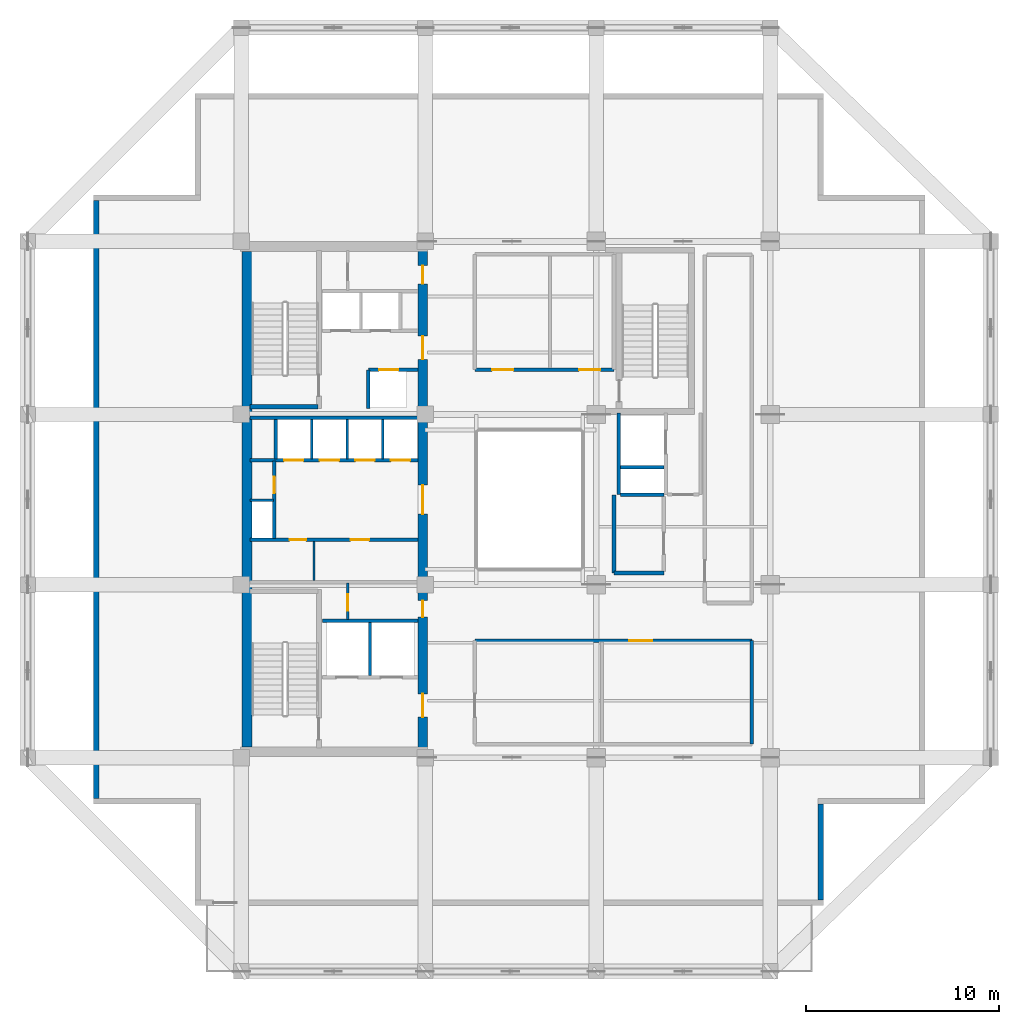
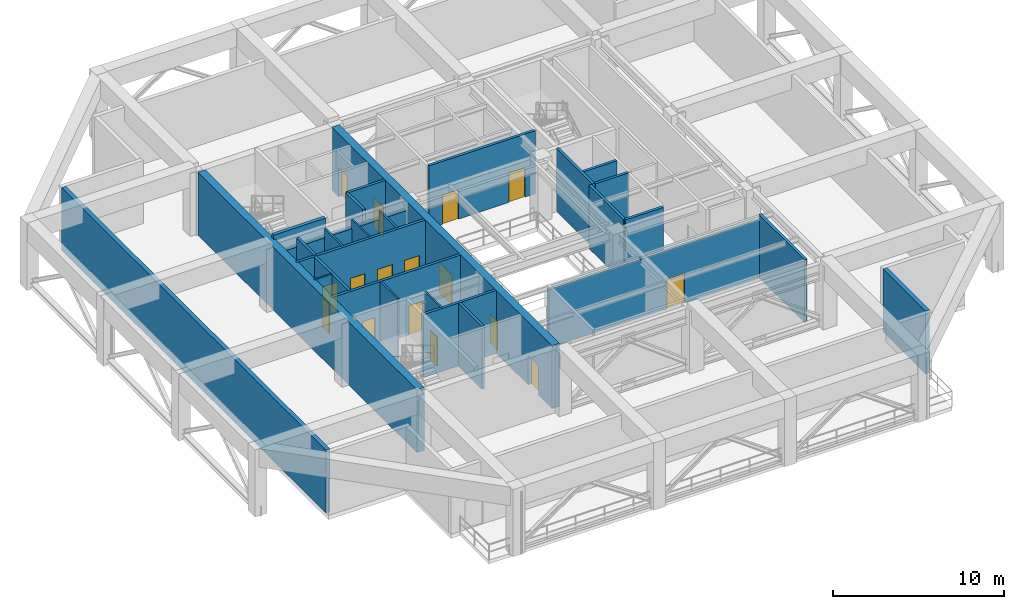
# One storey, part 4 of 10: 28 walls, 17 doors, 17 openings.
"""IFC4 building model written with IfcOpenShell, lengths in metres."""

from ifc_helpers import new_model, si_unit, direction, frame, frame_2d, origin, place, context, subcontext, project, spatial, rectangle, extrude, material, layer, layer_set, type_object, element, fill, save


model = new_model("IFC4")

# Units and contexts
model_context = context("Model", 3, precision=1e-05, world=origin(), true_north=direction((0.0, 1.0)))
body_context = subcontext(model_context, "Body", "Model", "MODEL_VIEW")
ifc_project = project(units=[si_unit("LENGTHUNIT", "METRE"), si_unit("AREAUNIT", "SQUARE_METRE"), si_unit("VOLUMEUNIT", "CUBIC_METRE"), si_unit("PLANEANGLEUNIT", "RADIAN"), si_unit("MASSUNIT", "GRAM", prefix="KILO")], contexts=[model_context])

# Site, building, storey
site_placement = place(None, origin())
site = spatial("IfcSite", under=ifc_project, at=site_placement, CompositionType="ELEMENT")
building_placement = place(site_placement, origin())
building = spatial("IfcBuilding", under=site, at=building_placement, Name="Kundavana Baori Tower", CompositionType="ELEMENT")
storey_placement = place(building_placement, frame((0.0, 0.0, 204.10009765625)))
storey = spatial("IfcBuildingStorey", under=building, at=storey_placement, Name="L50", CompositionType="ELEMENT", Elevation=204.10009765625)

# Walls
ifc_material_1 = material(Name="Concrete C50/60", Category="concrete")
ifc_layer_1 = layer(ifc_material_1, 0.39990234375, Name="WL-CORE-400")
ifc_layer_set_1 = layer_set([ifc_layer_1], Name="Concrete C50/60")
wall_type_1 = type_object("IfcWallType", Name="WL-CORE-400", PredefinedType="SHEAR", material=ifc_layer_set_1)
wall_1_placement = place(storey_placement, frame((15.89990234375, 33.389892578125, 0.0), z_axis=(0.0, 0.0, 1.0), x_axis=(1.0, 0.0, 0.0)))
element("IfcWall", 1, at=wall_1_placement, inside=storey, type_object=wall_type_1, Name="WL-L50-ST2-S", PredefinedType="SHEAR", context=body_context, shape_type="SweptSolid", body=[
    extrude(rectangle(XDim=3.52001953125, YDim=0.239990234375, at=frame_2d((1.760009765625, 0.0))), origin(), (0.0, 0.0, 1.0), 4.7998046875),
])
ifc_material_2 = material(Name="Concrete C50/60", Category="concrete")
ifc_layer_2 = layer(ifc_material_2, 0.5, Name="WL-CORE-500")
ifc_layer_set_2 = layer_set([ifc_layer_2], Name="Concrete C50/60")
wall_type_2 = type_object("IfcWallType", Name="WL-CORE-500", PredefinedType="SHEAR", material=ifc_layer_set_2)
wall_2_placement = place(storey_placement, frame((15.739990234375, 15.81005859375, 0.0), z_axis=(0.0, 0.0, 1.0), x_axis=(0.0, 1.0, 0.0)))
element("IfcWall", 2, at=wall_2_placement, inside=storey, type_object=wall_type_2, Name="L50 Offset Core West Shear Wall", PredefinedType="SHEAR", context=body_context, shape_type="SweptSolid", body=[
    extrude(rectangle(XDim=25.6298828125, YDim=0.5, at=frame_2d((12.81494140625, 0.0))), origin(), (0.0, 0.0, 1.0), 4.5),
])

# Wall, openings, doors
wall_3_placement = place(storey_placement, frame((24.830078125, 15.739990234375, 0.0), z_axis=(0.0, 0.0, 1.0), x_axis=(0.0, 1.0, 0.0)))
wall_3 = element("IfcWall", 3, at=wall_3_placement, inside=storey, type_object=wall_type_2, Name="L50 Offset Core East Shear Wall", PredefinedType="SHEAR", context=body_context, shape_type="SweptSolid", body=[
    extrude(rectangle(XDim=25.760009765625, YDim=0.5, at=frame_2d((12.8798828125, 0.0))), origin(), (0.0, 0.0, 1.0), 4.5),
])
opening_1_placement = place(wall_3_placement, frame((1.610107421875, 0.0, 0.0)))
opening_1 = element("IfcOpeningElement", 4, at=opening_1_placement, cuts=wall_3, Name="Opening FD-120", PredefinedType="OPENING", context=body_context, shape_type="SweptSolid", body=[
    extrude(rectangle(XDim=1.199951171875, YDim=2.10009765625, at=frame_2d((0.60009765625, 1.050048828125))), frame((0.0, 0.260009765625, 0.0), z_axis=(0.0, -1.0, 0.0), x_axis=(1.0, 0.0, 0.0)), (0.0, 0.0, 1.0), 0.52001953125),
])
opening_2_placement = place(wall_3_placement, frame((6.780029296875, 0.0, 0.0)))
opening_2 = element("IfcOpeningElement", 5, at=opening_2_placement, cuts=wall_3, Name="Opening FD-085", PredefinedType="OPENING", context=body_context, shape_type="SweptSolid", body=[
    extrude(rectangle(XDim=0.85009765625, YDim=2.06005859375, at=frame_2d((0.425048828125, 1.030029296875))), frame((0.0, 0.260009765625, 0.0), z_axis=(0.0, -1.0, 0.0), x_axis=(1.0, 0.0, 0.0)), (0.0, 0.0, 1.0), 0.52001953125),
])
opening_3_placement = place(wall_3_placement, frame((12.110107421875, 0.0, 0.0)))
opening_3 = element("IfcOpeningElement", 6, at=opening_3_placement, cuts=wall_3, Name="Opening FD-150", PredefinedType="OPENING", context=body_context, shape_type="SweptSolid", body=[
    extrude(rectangle(XDim=1.5, YDim=2.1201171875, at=frame_2d((0.75, 1.06005859375))), frame((0.0, 0.260009765625, 0.0), z_axis=(0.0, -1.0, 0.0), x_axis=(1.0, 0.0, 0.0)), (0.0, 0.0, 1.0), 0.52001953125),
])
opening_4_placement = place(wall_3_placement, frame((20.110107421875, 0.0, 0.0)))
opening_4 = element("IfcOpeningElement", 7, at=opening_4_placement, cuts=wall_3, Name="Opening FD-122", PredefinedType="OPENING", context=body_context, shape_type="SweptSolid", body=[
    extrude(rectangle(XDim=1.199951171875, YDim=2.1201171875, at=frame_2d((0.60009765625, 1.06005859375))), frame((0.0, 0.260009765625, 0.0), z_axis=(0.0, -1.0, 0.0), x_axis=(1.0, 0.0, 0.0)), (0.0, 0.0, 1.0), 0.52001953125),
])
opening_5_placement = place(wall_3_placement, frame((24.010009765625, 0.0, 0.0)))
opening_5 = element("IfcOpeningElement", 8, at=opening_5_placement, cuts=wall_3, Name="Opening FD-095", PredefinedType="OPENING", context=body_context, shape_type="SweptSolid", body=[
    extrude(rectangle(XDim=0.949951171875, YDim=2.10009765625, at=frame_2d((0.47509765625, 1.050048828125))), frame((0.0, 0.260009765625, 0.0), z_axis=(0.0, -1.0, 0.0), x_axis=(1.0, 0.0, 0.0)), (0.0, 0.0, 1.0), 0.52001953125),
])
ifc_material_3 = material(Name="Galvanised Steel Fire-Rated Door Leaf", Category="steel")
door_type_1 = type_object("IfcDoorType", Name="DR-FD120-1200", OperationType="NOTDEFINED", PredefinedType="DOOR", material=ifc_material_3)
door_1_placement = place(opening_1_placement, frame((1.199951171875, 0.0, 0.0), z_axis=(0.0, 0.0, 1.0), x_axis=(-1.0, 0.0, 0.0)))
door_1 = element("IfcDoor", 9, at=door_1_placement, inside=storey, type_object=door_type_1, Name="DR-L50-FFLOB-E", OperationType="SINGLE_SWING_RIGHT", OverallHeight=2.10009765625, OverallWidth=1.199951171875, PredefinedType="DOOR", context=body_context, shape_type="SweptSolid", body=[
    extrude(rectangle(XDim=1.199951171875, YDim=2.10009765625, at=frame_2d((0.60009765625, 1.050048828125))), frame((0.0, 0.02490234375, 0.0), z_axis=(0.0, -1.0, 0.0), x_axis=(1.0, 0.0, 0.0)), (0.0, 0.0, 1.0), 0.050048828125),
])
fill(opening_1, door_1)
ifc_material_4 = material(Name="Galvanised Steel Fire-Rated Door Leaf", Category="steel")
door_type_2 = type_object("IfcDoorType", Name="DR-FD60-1200", OperationType="NOTDEFINED", PredefinedType="DOOR", material=ifc_material_4)
door_2_placement = place(opening_4_placement, frame((1.199951171875, 0.0, 0.0), z_axis=(0.0, 0.0, 1.0), x_axis=(-1.0, 0.0, 0.0)))
door_2 = element("IfcDoor", 10, at=door_2_placement, inside=storey, type_object=door_type_2, Name="DR-L50-HRLOB-E", OperationType="SINGLE_SWING_RIGHT", OverallHeight=2.1201171875, OverallWidth=1.199951171875, PredefinedType="DOOR", context=body_context, shape_type="SweptSolid", body=[
    extrude(rectangle(XDim=1.199951171875, YDim=2.1201171875, at=frame_2d((0.60009765625, 1.06005859375))), frame((0.0, 0.02490234375, 0.0), z_axis=(0.0, -1.0, 0.0), x_axis=(1.0, 0.0, 0.0)), (0.0, 0.0, 1.0), 0.050048828125),
])
fill(opening_4, door_2)
ifc_material_5 = material(Name="Galvanised Steel Fire-Rated Door Leaf", Category="steel")
door_type_3 = type_object("IfcDoorType", Name="DR-FD60-1500", OperationType="NOTDEFINED", PredefinedType="DOOR", material=ifc_material_5)
door_3_placement = place(opening_3_placement, frame((1.5, 0.0, 0.0), z_axis=(0.0, 0.0, 1.0), x_axis=(-1.0, 0.0, 0.0)))
door_3 = element("IfcDoor", 11, at=door_3_placement, inside=storey, type_object=door_type_3, Name="DR-L50-LIFTHALL-E", OperationType="SINGLE_SWING_LEFT", OverallHeight=2.1201171875, OverallWidth=1.5, PredefinedType="DOOR", context=body_context, shape_type="SweptSolid", body=[
    extrude(rectangle(XDim=1.5, YDim=2.1201171875, at=frame_2d((0.75, 1.06005859375))), frame((0.0, 0.02490234375, 0.0), z_axis=(0.0, -1.0, 0.0), x_axis=(1.0, 0.0, 0.0)), (0.0, 0.0, 1.0), 0.050048828125),
])
fill(opening_3, door_3)
ifc_material_6 = material(Name="Galvanised Steel Fire-Rated Door Leaf", Category="steel")
door_type_4 = type_object("IfcDoorType", Name="DR-FD60-850", OperationType="NOTDEFINED", PredefinedType="DOOR", material=ifc_material_6)
door_4_placement = place(opening_2_placement, frame((0.85009765625, 0.0, 0.0), z_axis=(0.0, 0.0, 1.0), x_axis=(-1.0, 0.0, 0.0)))
door_4 = element("IfcDoor", 12, at=door_4_placement, inside=storey, type_object=door_type_4, Name="DR-L50-CSMK2", OperationType="SINGLE_SWING_LEFT", OverallHeight=2.06005859375, OverallWidth=0.85009765625, PredefinedType="DOOR", context=body_context, shape_type="SweptSolid", body=[
    extrude(rectangle(XDim=0.85009765625, YDim=2.06005859375, at=frame_2d((0.425048828125, 1.030029296875))), frame((0.0, 0.02490234375, 0.0), z_axis=(0.0, -1.0, 0.0), x_axis=(1.0, 0.0, 0.0)), (0.0, 0.0, 1.0), 0.050048828125),
])
fill(opening_2, door_4)
ifc_material_7 = material(Name="Engineered Teak Fire-Rated Timber Door Leaf", Category="wood")
door_type_5 = type_object("IfcDoorType", Name="DR-FD60-950", OperationType="NOTDEFINED", PredefinedType="DOOR", material=ifc_material_7)
door_5_placement = place(opening_5_placement, frame((0.949951171875, 0.0, 0.0), z_axis=(0.0, 0.0, 1.0), x_axis=(-1.0, 0.0, 0.0)))
door_5 = element("IfcDoor", 13, at=door_5_placement, inside=storey, type_object=door_type_5, Name="DR-L50-CSRV2", OperationType="SINGLE_SWING_LEFT", OverallHeight=2.10009765625, OverallWidth=0.949951171875, PredefinedType="DOOR", context=body_context, shape_type="SweptSolid", body=[
    extrude(rectangle(XDim=0.949951171875, YDim=2.10009765625, at=frame_2d((0.47509765625, 1.050048828125))), frame((0.0, 0.02490234375, 0.0), z_axis=(0.0, -1.0, 0.0), x_axis=(1.0, 0.0, 0.0)), (0.0, 0.0, 1.0), 0.050048828125),
])
fill(opening_5, door_5)

# Walls
ifc_material_8 = material(Name="Red-Buff Dholpur Sandstone Cladding on Concrete C40/50", Category="masonry")
ifc_layer_3 = layer(ifc_material_8, 0.280029296875, Name="WL-EXT-SAND-280")
ifc_layer_set_3 = layer_set([ifc_layer_3], Name="Red-Buff Dholpur Sandstone Cladding on Concrete C40/50")
wall_type_3 = type_object("IfcWallType", Name="WL-EXT-SAND-280", PredefinedType="STANDARD", material=ifc_layer_set_3)
wall_4_placement = place(storey_placement, frame((45.409912109375, 7.8798828125, 0.0), z_axis=(0.0, 0.0, 1.0), x_axis=(0.0, 1.0, 0.0)))
element("IfcWall", 14, at=wall_4_placement, inside=storey, type_object=wall_type_3, Name="L50 Exterior Insulated Facade Wall 02", PredefinedType="STANDARD", context=body_context, shape_type="SweptSolid", body=[
    extrude(rectangle(XDim=4.97021484375, YDim=0.280029296875, at=frame_2d((2.485107421875, 0.0))), origin(), (0.0, 0.0, 1.0), 4.5),
])
wall_5_placement = place(storey_placement, frame((7.93994140625, 44.070068359375, 0.0), z_axis=(0.0, 0.0, 1.0), x_axis=(0.0, -1.0, 0.0)))
element("IfcWall", 15, at=wall_5_placement, inside=storey, type_object=wall_type_3, Name="L50 Exterior Insulated Facade Wall 10", PredefinedType="STANDARD", context=body_context, shape_type="SweptSolid", body=[
    extrude(rectangle(XDim=30.940185546875, YDim=0.280029296875, at=frame_2d((15.47021484375, 0.0))), origin(), (0.0, 0.0, 1.0), 4.5),
])

# Wall, opening, door
ifc_material_9 = material(Name="Acoustic Gypsum Plasterboard on Galvanised Steel Studs", Category="steel")
ifc_layer_4 = layer(ifc_material_9, 0.1201171875, Name="WL-PART-120")
ifc_layer_set_4 = layer_set([ifc_layer_4], Name="Acoustic Gypsum Plasterboard on Galvanised Steel Studs")
wall_type_4 = type_object("IfcWallType", Name="WL-PART-120", PredefinedType="PARTITIONING", material=ifc_layer_set_4)
wall_6_placement = place(storey_placement, frame((20.949951171875, 22.39990234375, 0.0), z_axis=(0.0, 0.0, 1.0), x_axis=(0.0, 1.0, 0.0)))
wall_6 = element("IfcWall", 16, at=wall_6_placement, inside=storey, type_object=wall_type_4, Name="WL-L50-CSMK-D2", PredefinedType="PARTITIONING", context=body_context, shape_type="SweptSolid", body=[
    extrude(rectangle(XDim=1.880126953125, YDim=0.1201171875, at=frame_2d((0.93994140625, 0.0))), origin(), (0.0, 0.0, 1.0), 4.5),
])
opening_6_placement = place(wall_6_placement, frame((0.449951171875, 0.0, 0.0)))
opening_6 = element("IfcOpeningElement", 17, at=opening_6_placement, cuts=wall_6, Name="Opening FD-085", PredefinedType="OPENING", context=body_context, shape_type="SweptSolid", body=[
    extrude(rectangle(XDim=0.85009765625, YDim=2.06005859375, at=frame_2d((0.425048828125, 1.030029296875))), frame((0.0, 0.070068359375, 0.0), z_axis=(0.0, -1.0, 0.0), x_axis=(1.0, 0.0, 0.0)), (0.0, 0.0, 1.0), 0.14013671875),
])
door_6_placement = place(opening_6_placement, origin())
door_6 = element("IfcDoor", 18, at=door_6_placement, inside=storey, type_object=door_type_4, Name="DR-L50-CSMK1", OperationType="SINGLE_SWING_RIGHT", OverallHeight=2.06005859375, OverallWidth=0.85009765625, PredefinedType="DOOR", context=body_context, shape_type="SweptSolid", body=[
    extrude(rectangle(XDim=0.85009765625, YDim=2.06005859375, at=frame_2d((0.425048828125, 1.030029296875))), frame((0.0, 0.02490234375, 0.0), z_axis=(0.0, -1.0, 0.0), x_axis=(1.0, 0.0, 0.0)), (0.0, 0.0, 1.0), 0.050048828125),
])
fill(opening_6, door_6)

# Walls
wall_7_placement = place(storey_placement, frame((19.199951171875, 24.419921875, 0.0), z_axis=(0.0, 0.0, 1.0), x_axis=(0.0, 1.0, 0.0)))
element("IfcWall", 19, at=wall_7_placement, inside=storey, type_object=wall_type_4, Name="WL-L50-FRLOW-DIV", PredefinedType="PARTITIONING", context=body_context, shape_type="SweptSolid", body=[
    extrude(rectangle(XDim=2.02001953125, YDim=0.1201171875, at=frame_2d((1.010009765625, 0.0))), origin(), (0.0, 0.0, 1.0), 4.5),
])
wall_8_placement = place(storey_placement, frame((15.89990234375, 28.56005859375, 0.0), z_axis=(0.0, 0.0, 1.0), x_axis=(1.0, 0.0, 0.0)))
element("IfcWall", 20, at=wall_8_placement, inside=storey, type_object=wall_type_4, Name="WL-L50-RSRW-N", PredefinedType="PARTITIONING", context=body_context, shape_type="SweptSolid", body=[
    extrude(rectangle(XDim=1.2001953125, YDim=0.1201171875, at=frame_2d((0.60009765625, 0.0))), origin(), (0.0, 0.0, 1.0), 4.5),
])
for number, where, z_axis, x_axis, name in (
    (21, (19.080078125, 30.699951171875, 0.0), (0.0, 0.0, 1.0), (0.0, 1.0, 0.0), "WL-L50-LPMID-D1"),
    (22, (20.919921875, 30.699951171875, 0.0), (0.0, 0.0, 1.0), (0.0, 1.0, 0.0), "WL-L50-LPMID-D2"),
    (23, (22.760009765625, 30.699951171875, 0.0), (0.0, 0.0, 1.0), (0.0, 1.0, 0.0), "WL-L50-LPMID-D3"),
):
    element("IfcWall", number, at=place(storey_placement, frame(where, z_axis=z_axis, x_axis=x_axis)), inside=storey, type_object=wall_type_4, Name=name, PredefinedType="PARTITIONING", context=body_context, shape_type="SweptSolid", body=[
        extrude(rectangle(XDim=2.050048828125, YDim=0.1201171875, at=frame_2d((1.02490234375, 0.0))), origin(), (0.0, 0.0, 1.0), 4.5),
    ])

# Wall, opening, door
ifc_material_10 = material(Name="Autoclaved Aerated Concrete Blockwork Masonry", Category="masonry")
ifc_layer_5 = layer(ifc_material_10, 0.18505859375, Name="WL-PART-180")
ifc_layer_set_5 = layer_set([ifc_layer_5], Name="Autoclaved Aerated Concrete Blockwork Masonry")
wall_type_5 = type_object("IfcWallType", Name="WL-PART-180", PredefinedType="SOLIDWALL", material=ifc_layer_set_5)
wall_9_placement = place(storey_placement, frame((27.52001953125, 21.300048828125, 0.0), z_axis=(0.0, 0.0, 1.0), x_axis=(1.0, 0.0, 0.0)))
wall_9 = element("IfcWall", 24, at=wall_9_placement, inside=storey, type_object=wall_type_5, Name="WL-L50-REF-N", PredefinedType="SOLIDWALL", context=body_context, shape_type="SweptSolid", body=[
    extrude(rectangle(XDim=14.330078125, YDim=0.18505859375, at=frame_2d((7.1650390625, 0.0))), origin(), (0.0, 0.0, 1.0), 4.14990234375),
])
opening_7_placement = place(wall_9_placement, frame((7.97998046875, 0.0, 0.0)))
opening_7 = element("IfcOpeningElement", 25, at=opening_7_placement, cuts=wall_9, Name="Opening FD-120", PredefinedType="OPENING", context=body_context, shape_type="SweptSolid", body=[
    extrude(rectangle(XDim=1.199951171875, YDim=2.10009765625, at=frame_2d((0.60009765625, 1.050048828125))), frame((0.0, 0.1025390625, 0.0), z_axis=(0.0, -1.0, 0.0), x_axis=(1.0, 0.0, 0.0)), (0.0, 0.0, 1.0), 0.205078125),
])
door_7_placement = place(opening_7_placement, frame((1.199951171875, 0.0, 0.0), z_axis=(0.0, 0.0, 1.0), x_axis=(-1.0, 0.0, 0.0)))
door_7 = element("IfcDoor", 26, at=door_7_placement, inside=storey, type_object=door_type_1, Name="DR-L50-REF2", OperationType="SINGLE_SWING_RIGHT", OverallHeight=2.10009765625, OverallWidth=1.199951171875, PredefinedType="DOOR", context=body_context, shape_type="SweptSolid", body=[
    extrude(rectangle(XDim=1.199951171875, YDim=2.10009765625, at=frame_2d((0.60009765625, 1.050048828125))), frame((0.0, 0.02490234375, 0.0), z_axis=(0.0, -1.0, 0.0), x_axis=(1.0, 0.0, 0.0)), (0.0, 0.0, 1.0), 0.050048828125),
])
fill(opening_7, door_7)

# Walls
wall_10_placement = place(storey_placement, frame((41.85009765625, 15.949951171875, 0.0), z_axis=(0.0, 0.0, 1.0), x_axis=(0.0, 1.0, 0.0)))
element("IfcWall", 27, at=wall_10_placement, inside=storey, type_object=wall_type_5, Name="WL-L50-REF-E", PredefinedType="SOLIDWALL", context=body_context, shape_type="SweptSolid", body=[
    extrude(rectangle(XDim=5.35009765625, YDim=0.18505859375, at=frame_2d((2.675048828125, 0.0))), origin(), (0.0, 0.0, 1.0), 4.5),
])
wall_11_placement = place(storey_placement, frame((34.719970703125, 24.800048828125, 0.0), z_axis=(0.0, 0.0, 1.0), x_axis=(1.0, 0.0, 0.0)))
element("IfcWall", 28, at=wall_11_placement, inside=storey, type_object=wall_type_5, Name="WL-L50-PAHUS", PredefinedType="SOLIDWALL", context=body_context, shape_type="SweptSolid", body=[
    extrude(rectangle(XDim=2.580078125, YDim=0.18505859375, at=frame_2d((1.2900390625, 0.0))), origin(), (0.0, 0.0, 1.0), 4.5),
])
wall_12_placement = place(storey_placement, frame((34.719970703125, 24.800048828125, 0.0), z_axis=(0.0, 0.0, 1.0), x_axis=(0.0, 1.0, 0.0)))
element("IfcWall", 29, at=wall_12_placement, inside=storey, type_object=wall_type_5, Name="WL-L50-PAHUW", PredefinedType="SOLIDWALL", context=body_context, shape_type="SweptSolid", body=[
    extrude(rectangle(XDim=4.0400390625, YDim=0.18505859375, at=frame_2d((2.02001953125, 0.0))), origin(), (0.0, 0.0, 1.0), 4.5),
])

# Wall, openings, doors
wall_13_placement = place(storey_placement, frame((27.52001953125, 35.320068359375, 0.0), z_axis=(0.0, 0.0, 1.0), x_axis=(1.0, 0.0, 0.0)))
wall_13 = element("IfcWall", 30, at=wall_13_placement, inside=storey, type_object=wall_type_5, Name="WL-L50-PLN", PredefinedType="SOLIDWALL", context=body_context, shape_type="SweptSolid", body=[
    extrude(rectangle(XDim=7.199951171875, YDim=0.18505859375, at=frame_2d((3.60009765625, 0.0))), origin(), (0.0, 0.0, 1.0), 4.5),
])
opening_8_placement = place(wall_13_placement, frame((0.89990234375, 0.0, 0.0)))
opening_8 = element("IfcOpeningElement", 31, at=opening_8_placement, cuts=wall_13, Name="Opening FD-110", PredefinedType="OPENING", context=body_context, shape_type="SweptSolid", body=[
    extrude(rectangle(XDim=1.10009765625, YDim=2.10009765625, at=frame_2d((0.550048828125, 1.050048828125))), frame((0.0, 0.1025390625, 0.0), z_axis=(0.0, -1.0, 0.0), x_axis=(1.0, 0.0, 0.0)), (0.0, 0.0, 1.0), 0.205078125),
])
opening_9_placement = place(wall_13_placement, frame((5.39990234375, 0.0, 0.0)))
opening_9 = element("IfcOpeningElement", 32, at=opening_9_placement, cuts=wall_13, Name="Opening FD-110", PredefinedType="OPENING", context=body_context, shape_type="SweptSolid", body=[
    extrude(rectangle(XDim=1.10009765625, YDim=2.10009765625, at=frame_2d((0.550048828125, 1.050048828125))), frame((0.0, 0.1025390625, 0.0), z_axis=(0.0, -1.0, 0.0), x_axis=(1.0, 0.0, 0.0)), (0.0, 0.0, 1.0), 0.205078125),
])
ifc_material_11 = material(Name="Galvanised Steel Fire-Rated Door Leaf", Category="steel")
door_type_6 = type_object("IfcDoorType", Name="DR-FD120-1100", OperationType="NOTDEFINED", PredefinedType="DOOR", material=ifc_material_11)
door_8_placement = place(opening_8_placement, origin())
door_8 = element("IfcDoor", 33, at=door_8_placement, inside=storey, type_object=door_type_6, Name="DR-L50-PL4", OperationType="SINGLE_SWING_RIGHT", OverallHeight=2.10009765625, OverallWidth=1.10009765625, PredefinedType="DOOR", context=body_context, shape_type="SweptSolid", body=[
    extrude(rectangle(XDim=1.10009765625, YDim=2.10009765625, at=frame_2d((0.550048828125, 1.050048828125))), frame((0.0, 0.02490234375, 0.0), z_axis=(0.0, -1.0, 0.0), x_axis=(1.0, 0.0, 0.0)), (0.0, 0.0, 1.0), 0.050048828125),
])
fill(opening_8, door_8)
door_9_placement = place(opening_9_placement, origin())
door_9 = element("IfcDoor", 34, at=door_9_placement, inside=storey, type_object=door_type_6, Name="DR-L50-PL5", OperationType="SINGLE_SWING_LEFT", OverallHeight=2.10009765625, OverallWidth=1.10009765625, PredefinedType="DOOR", context=body_context, shape_type="SweptSolid", body=[
    extrude(rectangle(XDim=1.10009765625, YDim=2.10009765625, at=frame_2d((0.550048828125, 1.050048828125))), frame((0.0, 0.02490234375, 0.0), z_axis=(0.0, -1.0, 0.0), x_axis=(1.0, 0.0, 0.0)), (0.0, 0.0, 1.0), 0.050048828125),
])
fill(opening_9, door_9)

# Walls
ifc_material_12 = material(Name="Autoclaved Aerated Concrete Blockwork Masonry", Category="masonry")
ifc_layer_6 = layer(ifc_material_12, 0.179931640625, Name="WL-SHAFT-180")
ifc_layer_set_6 = layer_set([ifc_layer_6], Name="Autoclaved Aerated Concrete Blockwork Masonry")
wall_type_6 = type_object("IfcWallType", Name="WL-SHAFT-180", PredefinedType="SOLIDWALL", material=ifc_layer_set_6)
wall_14_placement = place(storey_placement, frame((22.10009765625, 19.510009765625, 0.0), z_axis=(0.0, 0.0, 1.0), x_axis=(0.0, 1.0, 0.0)))
element("IfcWall", 35, at=wall_14_placement, inside=storey, type_object=wall_type_6, Name="WL-L50-FFL-MID", PredefinedType="SOLIDWALL", context=body_context, shape_type="SweptSolid", body=[
    extrude(rectangle(XDim=2.739990234375, YDim=0.179931640625, at=frame_2d((1.3701171875, 0.0))), origin(), (0.0, 0.0, 1.0), 4.5),
])
wall_15_placement = place(storey_placement, frame((19.639892578125, 22.340087890625, 0.0), z_axis=(0.0, 0.0, 1.0), x_axis=(1.0, 0.0, 0.0)))
element("IfcWall", 36, at=wall_15_placement, inside=storey, type_object=wall_type_6, Name="WL-L50-FFL-N", PredefinedType="SOLIDWALL", context=body_context, shape_type="SweptSolid", body=[
    extrude(rectangle(XDim=4.940185546875, YDim=0.179931640625, at=frame_2d((2.47021484375, 0.0))), origin(), (0.0, 0.0, 1.0), 4.5),
])

# Wall, openings, doors
wall_16_placement = place(storey_placement, frame((15.89990234375, 26.52001953125, 0.0), z_axis=(0.0, 0.0, 1.0), x_axis=(1.0, 0.0, 0.0)))
wall_16 = element("IfcWall", 37, at=wall_16_placement, inside=storey, type_object=wall_type_6, Name="WL-L50-LPLOW-N", PredefinedType="SOLIDWALL", context=body_context, shape_type="SweptSolid", body=[
    extrude(rectangle(XDim=8.68017578125, YDim=0.179931640625, at=frame_2d((4.340087890625, 0.0))), origin(), (0.0, 0.0, 1.0), 4.5),
])
opening_10_placement = place(wall_16_placement, frame((2.050048828125, 0.0, 0.0)))
opening_10 = element("IfcOpeningElement", 38, at=opening_10_placement, cuts=wall_16, Name="Opening FD-085", PredefinedType="OPENING", context=body_context, shape_type="SweptSolid", body=[
    extrude(rectangle(XDim=0.85009765625, YDim=2.06005859375, at=frame_2d((0.425048828125, 1.030029296875))), frame((0.0, 0.10009765625, 0.0), z_axis=(0.0, -1.0, 0.0), x_axis=(1.0, 0.0, 0.0)), (0.0, 0.0, 1.0), 0.199951171875),
])
opening_11_placement = place(wall_16_placement, frame((5.199951171875, 0.0, 0.0)))
opening_11 = element("IfcOpeningElement", 39, at=opening_11_placement, cuts=wall_16, Name="Opening FD-095", PredefinedType="OPENING", context=body_context, shape_type="SweptSolid", body=[
    extrude(rectangle(XDim=0.949951171875, YDim=2.10009765625, at=frame_2d((0.47509765625, 1.050048828125))), frame((0.0, 0.10009765625, 0.0), z_axis=(0.0, -1.0, 0.0), x_axis=(1.0, 0.0, 0.0)), (0.0, 0.0, 1.0), 0.199951171875),
])
door_10_placement = place(opening_10_placement, origin())
door_10 = element("IfcDoor", 40, at=door_10_placement, inside=storey, type_object=door_type_4, Name="DR-L50-FRLOW1", OperationType="SINGLE_SWING_LEFT", OverallHeight=2.06005859375, OverallWidth=0.85009765625, PredefinedType="DOOR", context=body_context, shape_type="SweptSolid", body=[
    extrude(rectangle(XDim=0.85009765625, YDim=2.06005859375, at=frame_2d((0.425048828125, 1.030029296875))), frame((0.0, 0.02490234375, 0.0), z_axis=(0.0, -1.0, 0.0), x_axis=(1.0, 0.0, 0.0)), (0.0, 0.0, 1.0), 0.050048828125),
])
fill(opening_10, door_10)
door_11_placement = place(opening_11_placement, origin())
door_11 = element("IfcDoor", 41, at=door_11_placement, inside=storey, type_object=door_type_5, Name="DR-L50-FRLOW2", OperationType="SINGLE_SWING_RIGHT", OverallHeight=2.10009765625, OverallWidth=0.949951171875, PredefinedType="DOOR", context=body_context, shape_type="SweptSolid", body=[
    extrude(rectangle(XDim=0.949951171875, YDim=2.10009765625, at=frame_2d((0.47509765625, 1.050048828125))), frame((0.0, 0.02490234375, 0.0), z_axis=(0.0, -1.0, 0.0), x_axis=(1.0, 0.0, 0.0)), (0.0, 0.0, 1.0), 0.050048828125),
])
fill(opening_11, door_11)

# Wall, opening, door
wall_17_placement = place(storey_placement, frame((17.159912109375, 26.580078125, 0.0), z_axis=(0.0, 0.0, 1.0), x_axis=(0.0, 1.0, 0.0)))
wall_17 = element("IfcWall", 42, at=wall_17_placement, inside=storey, type_object=wall_type_6, Name="WL-L50-RSRW-E", PredefinedType="SOLIDWALL", context=body_context, shape_type="SweptSolid", body=[
    extrude(rectangle(XDim=4.02001953125, YDim=0.179931640625, at=frame_2d((2.010009765625, 0.0))), origin(), (0.0, 0.0, 1.0), 4.5),
])
opening_12_placement = place(wall_17_placement, frame((2.35009765625, 0.0, 0.0)))
opening_12 = element("IfcOpeningElement", 43, at=opening_12_placement, cuts=wall_17, Name="Opening FD-085", PredefinedType="OPENING", context=body_context, shape_type="SweptSolid", body=[
    extrude(rectangle(XDim=0.85009765625, YDim=2.06005859375, at=frame_2d((0.425048828125, 1.030029296875))), frame((0.0, 0.10009765625, 0.0), z_axis=(0.0, -1.0, 0.0), x_axis=(1.0, 0.0, 0.0)), (0.0, 0.0, 1.0), 0.199951171875),
])
door_12_placement = place(opening_12_placement, origin())
door_12 = element("IfcDoor", 44, at=door_12_placement, inside=storey, type_object=door_type_4, Name="DR-L50-CLN", OperationType="SINGLE_SWING_RIGHT", OverallHeight=2.06005859375, OverallWidth=0.85009765625, PredefinedType="DOOR", context=body_context, shape_type="SweptSolid", body=[
    extrude(rectangle(XDim=0.85009765625, YDim=2.06005859375, at=frame_2d((0.425048828125, 1.030029296875))), frame((0.0, 0.02490234375, 0.0), z_axis=(0.0, -1.0, 0.0), x_axis=(1.0, 0.0, 0.0)), (0.0, 0.0, 1.0), 0.050048828125),
])
fill(opening_12, door_12)

# Wall, openings, doors
wall_18_placement = place(storey_placement, frame((15.89990234375, 30.639892578125, 0.0), z_axis=(0.0, 0.0, 1.0), x_axis=(1.0, 0.0, 0.0)))
wall_18 = element("IfcWall", 45, at=wall_18_placement, inside=storey, type_object=wall_type_6, Name="WL-L50-LPMID-S", PredefinedType="SOLIDWALL", context=body_context, shape_type="SweptSolid", body=[
    extrude(rectangle(XDim=8.68017578125, YDim=0.179931640625, at=frame_2d((4.340087890625, 0.0))), origin(), (0.0, 0.0, 1.0), 4.5),
])
opening_13_placement = place(wall_18_placement, frame((1.760009765625, 0.0, 0.0)))
opening_13 = element("IfcOpeningElement", 46, at=opening_13_placement, cuts=wall_18, Name="Opening LD-100", PredefinedType="OPENING", context=body_context, shape_type="SweptSolid", body=[
    extrude(rectangle(XDim=1.0, YDim=2.10009765625, at=frame_2d((0.5, 1.050048828125))), frame((0.0, 0.10009765625, 0.0), z_axis=(0.0, -1.0, 0.0), x_axis=(1.0, 0.0, 0.0)), (0.0, 0.0, 1.0), 0.199951171875),
])
opening_14_placement = place(wall_18_placement, frame((3.60009765625, 0.0, 0.0)))
opening_14 = element("IfcOpeningElement", 47, at=opening_14_placement, cuts=wall_18, Name="Opening LD-100", PredefinedType="OPENING", context=body_context, shape_type="SweptSolid", body=[
    extrude(rectangle(XDim=1.0, YDim=2.10009765625, at=frame_2d((0.5, 1.050048828125))), frame((0.0, 0.10009765625, 0.0), z_axis=(0.0, -1.0, 0.0), x_axis=(1.0, 0.0, 0.0)), (0.0, 0.0, 1.0), 0.199951171875),
])
opening_15_placement = place(wall_18_placement, frame((5.43994140625, 0.0, 0.0)))
opening_15 = element("IfcOpeningElement", 48, at=opening_15_placement, cuts=wall_18, Name="Opening LD-100", PredefinedType="OPENING", context=body_context, shape_type="SweptSolid", body=[
    extrude(rectangle(XDim=1.0, YDim=2.10009765625, at=frame_2d((0.5, 1.050048828125))), frame((0.0, 0.10009765625, 0.0), z_axis=(0.0, -1.0, 0.0), x_axis=(1.0, 0.0, 0.0)), (0.0, 0.0, 1.0), 0.199951171875),
])
opening_16_placement = place(wall_18_placement, frame((7.280029296875, 0.0, 0.0)))
opening_16 = element("IfcOpeningElement", 49, at=opening_16_placement, cuts=wall_18, Name="Opening LD-100", PredefinedType="OPENING", context=body_context, shape_type="SweptSolid", body=[
    extrude(rectangle(XDim=1.0, YDim=2.10009765625, at=frame_2d((0.5, 1.050048828125))), frame((0.0, 0.10009765625, 0.0), z_axis=(0.0, -1.0, 0.0), x_axis=(1.0, 0.0, 0.0)), (0.0, 0.0, 1.0), 0.199951171875),
])
ifc_material_13 = material(Name="Galvanised Steel Fire-Rated Door Leaf", Category="steel")
door_type_7 = type_object("IfcDoorType", Name="DR-SLIDE-LD1000", OperationType="NOTDEFINED", PredefinedType="DOOR", material=ifc_material_13)
door_13_placement = place(opening_13_placement, frame((1.0, 0.0, 0.0), z_axis=(0.0, 0.0, 1.0), x_axis=(-1.0, 0.0, 0.0)))
door_13 = element("IfcDoor", 50, at=door_13_placement, inside=storey, type_object=door_type_7, Name="DR-L50-LD-LP-05", OperationType="DOUBLE_DOOR_SLIDING", OverallHeight=2.10009765625, OverallWidth=1.0, PredefinedType="DOOR", context=body_context, shape_type="SweptSolid", body=[
    extrude(rectangle(XDim=1.0, YDim=2.10009765625, at=frame_2d((0.5, 1.050048828125))), frame((0.0, 0.02490234375, 0.0), z_axis=(0.0, -1.0, 0.0), x_axis=(1.0, 0.0, 0.0)), (0.0, 0.0, 1.0), 0.050048828125),
])
fill(opening_13, door_13)
door_14_placement = place(opening_14_placement, frame((1.0, 0.0, 0.0), z_axis=(0.0, 0.0, 1.0), x_axis=(-1.0, 0.0, 0.0)))
door_14 = element("IfcDoor", 51, at=door_14_placement, inside=storey, type_object=door_type_7, Name="DR-L50-LD-LP-06", OperationType="DOUBLE_DOOR_SLIDING", OverallHeight=2.10009765625, OverallWidth=1.0, PredefinedType="DOOR", context=body_context, shape_type="SweptSolid", body=[
    extrude(rectangle(XDim=1.0, YDim=2.10009765625, at=frame_2d((0.5, 1.050048828125))), frame((0.0, 0.02490234375, 0.0), z_axis=(0.0, -1.0, 0.0), x_axis=(1.0, 0.0, 0.0)), (0.0, 0.0, 1.0), 0.050048828125),
])
fill(opening_14, door_14)
door_15_placement = place(opening_15_placement, frame((1.0, 0.0, 0.0), z_axis=(0.0, 0.0, 1.0), x_axis=(-1.0, 0.0, 0.0)))
door_15 = element("IfcDoor", 52, at=door_15_placement, inside=storey, type_object=door_type_7, Name="DR-L50-LD-LP-07", OperationType="DOUBLE_DOOR_SLIDING", OverallHeight=2.10009765625, OverallWidth=1.0, PredefinedType="DOOR", context=body_context, shape_type="SweptSolid", body=[
    extrude(rectangle(XDim=1.0, YDim=2.10009765625, at=frame_2d((0.5, 1.050048828125))), frame((0.0, 0.02490234375, 0.0), z_axis=(0.0, -1.0, 0.0), x_axis=(1.0, 0.0, 0.0)), (0.0, 0.0, 1.0), 0.050048828125),
])
fill(opening_15, door_15)
door_16_placement = place(opening_16_placement, frame((1.0, 0.0, 0.0), z_axis=(0.0, 0.0, 1.0), x_axis=(-1.0, 0.0, 0.0)))
door_16 = element("IfcDoor", 53, at=door_16_placement, inside=storey, type_object=door_type_7, Name="DR-L50-LD-LP-08", OperationType="DOUBLE_DOOR_SLIDING", OverallHeight=2.10009765625, OverallWidth=1.0, PredefinedType="DOOR", context=body_context, shape_type="SweptSolid", body=[
    extrude(rectangle(XDim=1.0, YDim=2.10009765625, at=frame_2d((0.5, 1.050048828125))), frame((0.0, 0.02490234375, 0.0), z_axis=(0.0, -1.0, 0.0), x_axis=(1.0, 0.0, 0.0)), (0.0, 0.0, 1.0), 0.050048828125),
])
fill(opening_16, door_16)

# Walls
wall_19_placement = place(storey_placement, frame((15.89990234375, 32.820068359375, 0.0), z_axis=(0.0, 0.0, 1.0), x_axis=(1.0, 0.0, 0.0)))
element("IfcWall", 54, at=wall_19_placement, inside=storey, type_object=wall_type_6, Name="WL-L50-LPMID-N", PredefinedType="SOLIDWALL", context=body_context, shape_type="SweptSolid", body=[
    extrude(rectangle(XDim=8.68017578125, YDim=0.179931640625, at=frame_2d((4.340087890625, 0.0))), origin(), (0.0, 0.0, 1.0), 3.849853515625),
])
wall_20_placement = place(storey_placement, frame((17.219970703125, 30.699951171875, 0.0), z_axis=(0.0, 0.0, 1.0), x_axis=(0.0, 1.0, 0.0)))
element("IfcWall", 55, at=wall_20_placement, inside=storey, type_object=wall_type_6, Name="WL-L50-LPMID-W", PredefinedType="SOLIDWALL", context=body_context, shape_type="SweptSolid", body=[
    extrude(rectangle(XDim=2.050048828125, YDim=0.179931640625, at=frame_2d((1.02490234375, 0.0))), origin(), (0.0, 0.0, 1.0), 4.5),
])

# Wall, opening, door
wall_21_placement = place(storey_placement, frame((22.02001953125, 35.31005859375, 0.0), z_axis=(0.0, 0.0, 1.0), x_axis=(1.0, 0.0, 0.0)))
wall_21 = element("IfcWall", 56, at=wall_21_placement, inside=storey, type_object=wall_type_6, Name="WL-L50-LP11-N", PredefinedType="SOLIDWALL", context=body_context, shape_type="SweptSolid", body=[
    extrude(rectangle(XDim=2.56005859375, YDim=0.179931640625, at=frame_2d((1.280029296875, 0.0))), origin(), (0.0, 0.0, 1.0), 4.5),
])
opening_17_placement = place(wall_21_placement, frame((0.550048828125, 0.0, 0.0)))
opening_17 = element("IfcOpeningElement", 57, at=opening_17_placement, cuts=wall_21, Name="Opening LD-100", PredefinedType="OPENING", context=body_context, shape_type="SweptSolid", body=[
    extrude(rectangle(XDim=1.0, YDim=2.10009765625, at=frame_2d((0.5, 1.050048828125))), frame((0.0, 0.10009765625, 0.0), z_axis=(0.0, -1.0, 0.0), x_axis=(1.0, 0.0, 0.0)), (0.0, 0.0, 1.0), 0.199951171875),
])
door_17_placement = place(opening_17_placement, origin())
door_17 = element("IfcDoor", 58, at=door_17_placement, inside=storey, type_object=door_type_7, Name="DR-L50-LD-LP11", OperationType="DOUBLE_DOOR_SLIDING", OverallHeight=2.10009765625, OverallWidth=1.0, PredefinedType="DOOR", context=body_context, shape_type="SweptSolid", body=[
    extrude(rectangle(XDim=1.0, YDim=2.10009765625, at=frame_2d((0.5, 1.050048828125))), frame((0.0, 0.02490234375, 0.0), z_axis=(0.0, -1.0, 0.0), x_axis=(1.0, 0.0, 0.0)), (0.0, 0.0, 1.0), 0.050048828125),
])
fill(opening_17, door_17)

# Walls
wall_22_placement = place(storey_placement, frame((22.02001953125, 33.300048828125, 0.0), z_axis=(0.0, 0.0, 1.0), x_axis=(0.0, 1.0, 0.0)))
element("IfcWall", 59, at=wall_22_placement, inside=storey, type_object=wall_type_6, Name="WL-L50-LP11-W", PredefinedType="SOLIDWALL", context=body_context, shape_type="SweptSolid", body=[
    extrude(rectangle(XDim=2.010009765625, YDim=0.179931640625, at=frame_2d((1.0048828125, 0.0))), origin(), (0.0, 0.0, 1.0), 4.5),
])
wall_23_placement = place(storey_placement, frame((34.9599609375, 28.860107421875, 0.0), z_axis=(0.0, 0.0, 1.0), x_axis=(0.0, 1.0, 0.0)))
element("IfcWall", 60, at=wall_23_placement, inside=storey, type_object=wall_type_6, Name="WL-L50-SVL-W", PredefinedType="SOLIDWALL", context=body_context, shape_type="SweptSolid", body=[
    extrude(rectangle(XDim=4.219970703125, YDim=0.179931640625, at=frame_2d((2.10986328125, 0.0))), origin(), (0.0, 0.0, 1.0), 4.5),
])
for number, where, z_axis, x_axis, name in (
    (61, (35.050048828125, 28.860107421875, 0.0), (0.0, 0.0, 1.0), (1.0, 0.0, 0.0), "WL-L50-SVL-S"),
    (62, (35.050048828125, 30.27001953125, 0.0), (0.0, 0.0, 1.0), (1.0, 0.0, 0.0), "WL-L50-SVL-M"),
):
    element("IfcWall", number, at=place(storey_placement, frame(where, z_axis=z_axis, x_axis=x_axis)), inside=storey, type_object=wall_type_6, Name=name, PredefinedType="SOLIDWALL", context=body_context, shape_type="SweptSolid", body=[
        extrude(rectangle(XDim=2.25, YDim=0.179931640625, at=frame_2d((1.125, 0.0))), origin(), (0.0, 0.0, 1.0), 4.5),
    ])

save(model, "model.ifc")
